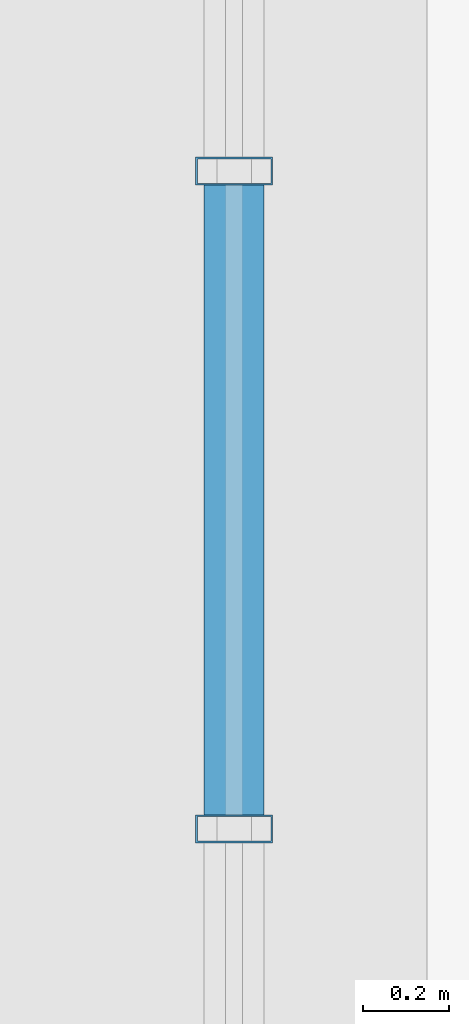
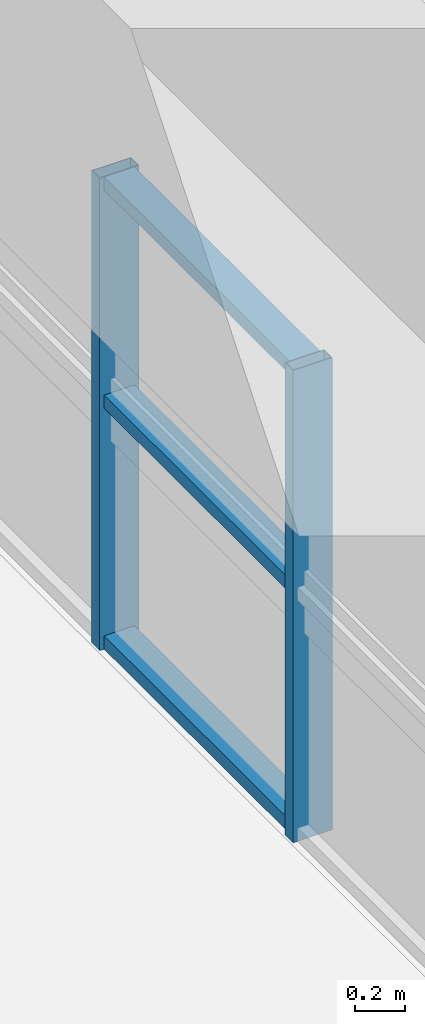
# One storey, part 8 of 35: 5 members, 1 element without a shape of its own.
"""IFC4 building model written with IfcOpenShell, lengths in metres."""

from ifc_helpers import new_model, si_unit, direction, frame, origin, origin_2d, place, context, subcontext, project, spatial, hollow_rectangle, extrude, source, transform, mapped, material, layer, layer_set, material_profile, profile_set, type_object, element, aggregate, save


model = new_model("IFC4")

# Units and contexts
model_context = context("Model", 3, precision=1e-05, world=origin(), true_north=direction((0.0, 1.0)))
body_context = subcontext(model_context, "Body", "Model", "MODEL_VIEW")
ifc_project = project(units=[si_unit("LENGTHUNIT", "METRE"), si_unit("AREAUNIT", "SQUARE_METRE"), si_unit("VOLUMEUNIT", "CUBIC_METRE"), si_unit("PLANEANGLEUNIT", "RADIAN"), si_unit("MASSUNIT", "GRAM", prefix="KILO")], contexts=[model_context])

# Site, building, storey
site_placement = place(None, origin())
site = spatial("IfcSite", under=ifc_project, at=site_placement, CompositionType="ELEMENT")
building_placement = place(site_placement, origin())
building = spatial("IfcBuilding", under=site, at=building_placement, Name="Saelheon Loggia Tower", CompositionType="ELEMENT")
storey_placement = place(building_placement, frame((0.0, 0.0, 70.39990234375)))
storey = spatial("IfcBuildingStorey", under=building, at=storey_placement, Name="L22", CompositionType="ELEMENT", Elevation=70.39990234375)

# Curtain wall, members
ifc_material_1 = material(Name="Anodised Aluminium Acoustic Louvre Curtain Wall", Category="aluminium")
ifc_layer = layer(ifc_material_1, 0.179931640625)
ifc_layer_set = layer_set([ifc_layer], Name="Anodised Aluminium Acoustic Louvre Curtain Wall")
curtain_wall_type = type_object("IfcCurtainWallType", Name="CW_RefugeAcoustic", PredefinedType="NOTDEFINED", material=ifc_layer_set)
curtain_wall_placement = place(storey_placement, origin())
curtain_wall = element("IfcCurtainWall", 1, at=curtain_wall_placement, inside=storey, type_object=curtain_wall_type, Name="L22 W Refuge Acoustic Curtain Wall 2", PredefinedType="NOTDEFINED")
ifc_material_2 = material(Name="Anodised Aluminium 6063-T6", Category="aluminium")
ifc_material_profile_1 = material_profile(ifc_material_2, hollow_rectangle(XDim=0.06494140625, YDim=0.179931640625, WallThickness=0.00390625, at=origin_2d()), Name="RHS-180x65x4")
ifc_profile_set_1 = profile_set([ifc_material_profile_1], Name="Anodised Aluminium 6063-T6")
member_type_1 = type_object("IfcMemberType", Name="CW_RefugeAcoustic_Mullion", PredefinedType="MULLION", material=ifc_profile_set_1)
shared_shape_1 = source(origin(), body_context, "Body", "SweptSolid", [
    extrude(hollow_rectangle(XDim=0.06494140625, YDim=0.179931640625, WallThickness=0.00390625, at=origin_2d()), origin(), (0.0, 0.0, 1.0), 2.2900390625),
])
member_1_placement = place(storey_placement, frame((12.10009765625, 24.695556640625, 0.0), z_axis=(0.0, 0.0, 1.0), x_axis=(0.0, 1.0, 0.0)))
member_1 = element("IfcMember", 2, at=member_1_placement, type_object=member_type_1, Name="CW5 mullion 5", PredefinedType="MULLION", context=body_context, shape_type="MappedRepresentation", body=[
    mapped(shared_shape_1, transform((0.0, 0.0, 0.0), scale=1.0)),
])
member_2_placement = place(storey_placement, frame((12.10009765625, 26.23193359375, 0.0), z_axis=(0.0, 0.0, 1.0), x_axis=(0.0, 1.0, 0.0)))
member_2 = element("IfcMember", 3, at=member_2_placement, type_object=member_type_1, Name="CW5 mullion 6", PredefinedType="MULLION", context=body_context, shape_type="MappedRepresentation", body=[
    mapped(shared_shape_1, transform((0.0, 0.0, 0.0), scale=1.0)),
])
ifc_material_profile_2 = material_profile(ifc_material_2, hollow_rectangle(XDim=0.06494140625, YDim=0.139892578125, WallThickness=0.00390625, at=origin_2d()), Name="RHS-140x65x4")
ifc_profile_set_2 = profile_set([ifc_material_profile_2], Name="Anodised Aluminium 6063-T6")
member_type_2 = type_object("IfcMemberType", Name="CW_RefugeAcoustic_Transom", PredefinedType="USERDEFINED", material=ifc_profile_set_2)
shared_shape_2 = source(origin(), body_context, "Body", "SweptSolid", [
    extrude(hollow_rectangle(XDim=0.06494140625, YDim=0.139892578125, WallThickness=0.00390625, at=origin_2d()), origin(), (0.0, 0.0, 1.0), 1.47119140625),
])
member_3_placement = place(storey_placement, frame((12.10009765625, 24.72802734375, 0.03271484375), z_axis=(0.0, 1.0, 0.0), x_axis=(0.0, 0.0, 1.0)))
member_3 = element("IfcMember", 4, at=member_3_placement, type_object=member_type_2, Name="CW5 transom 5.1", ObjectType="TRANSOM", PredefinedType="USERDEFINED", context=body_context, shape_type="MappedRepresentation", body=[
    mapped(shared_shape_2, transform((0.0, 0.0, 0.0), scale=1.0)),
])
member_4_placement = place(storey_placement, frame((12.10009765625, 24.72802734375, 1.2001953125), z_axis=(0.0, 1.0, 0.0), x_axis=(0.0, 0.0, 1.0)))
member_4 = element("IfcMember", 5, at=member_4_placement, type_object=member_type_2, Name="CW5 transom 5.2", ObjectType="TRANSOM", PredefinedType="USERDEFINED", context=body_context, shape_type="MappedRepresentation", body=[
    mapped(shared_shape_2, transform((0.0, 0.0, 0.0), scale=1.0)),
])
member_5_placement = place(storey_placement, frame((12.10009765625, 24.72802734375, 2.257568359375), z_axis=(0.0, 1.0, 0.0), x_axis=(0.0, 0.0, 1.0)))
member_5 = element("IfcMember", 6, at=member_5_placement, type_object=member_type_2, Name="CW5 transom 5.3", ObjectType="TRANSOM", PredefinedType="USERDEFINED", context=body_context, shape_type="MappedRepresentation", body=[
    mapped(shared_shape_2, transform((0.0, 0.0, 0.0), scale=1.0)),
])
aggregate(curtain_wall, [member_1, member_2, member_3, member_4, member_5])

save(model, "model.ifc")
